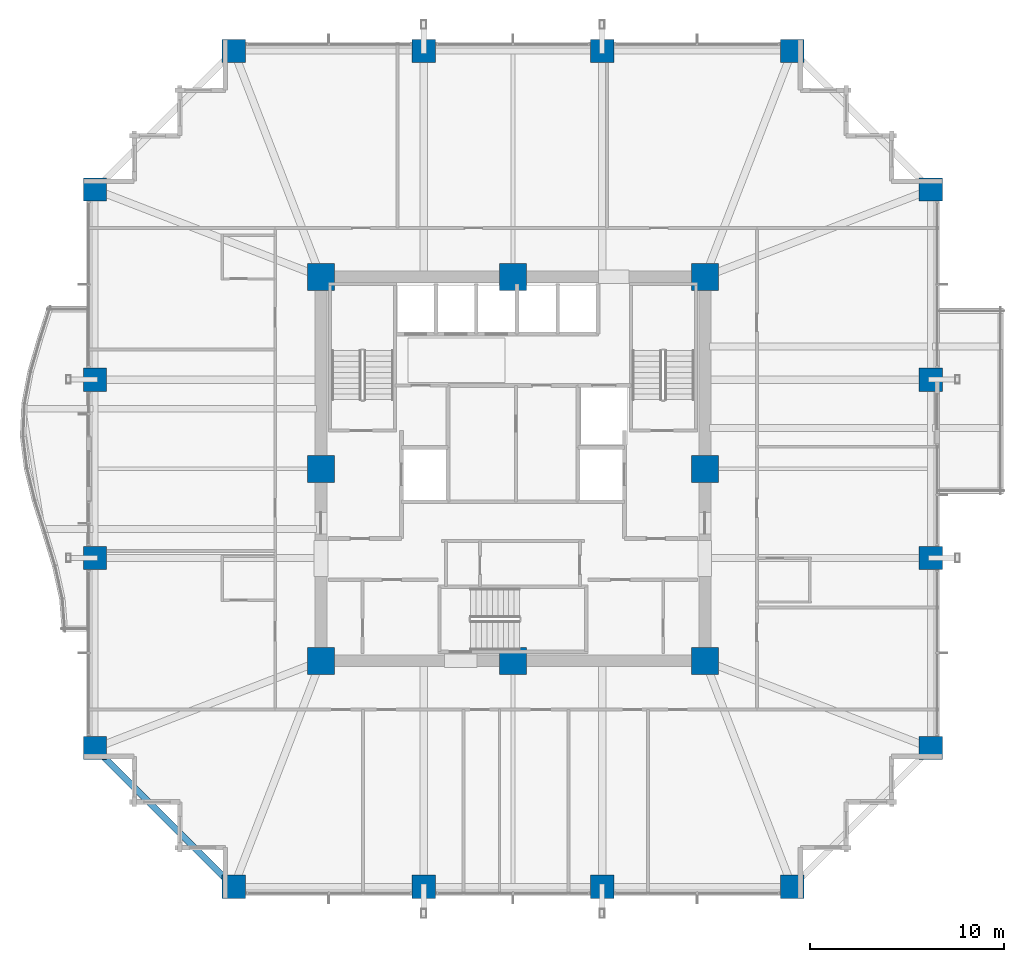
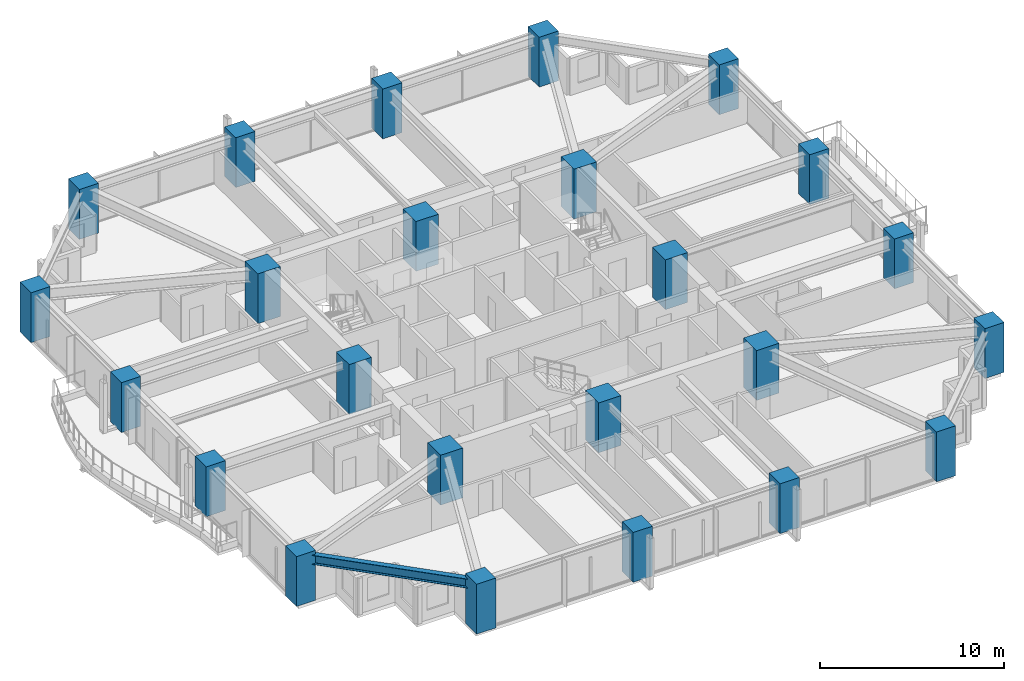
# One storey, part 1 of 38: 24 columns, 1 beam.
"""IFC4 building model written with IfcOpenShell, lengths in metres."""

from ifc_helpers import new_model, si_unit, direction, frame, origin, origin_2d, place, context, subcontext, project, spatial, rectangle, i_section, extrude, material, material_profile, profile_set, type_object, element, save


model = new_model("IFC4")

# Units and contexts
model_context = context("Model", 3, precision=1e-05, world=origin(), true_north=direction((0.0, 1.0)))
body_context = subcontext(model_context, "Body", "Model", "MODEL_VIEW")
ifc_project = project(units=[si_unit("LENGTHUNIT", "METRE"), si_unit("AREAUNIT", "SQUARE_METRE"), si_unit("VOLUMEUNIT", "CUBIC_METRE"), si_unit("PLANEANGLEUNIT", "RADIAN"), si_unit("MASSUNIT", "GRAM", prefix="KILO")], contexts=[model_context])

# Site, building, storey
site_placement = place(None, origin())
site = spatial("IfcSite", under=ifc_project, at=site_placement, CompositionType="ELEMENT")
building_placement = place(site_placement, origin())
building = spatial("IfcBuilding", under=site, at=building_placement, Name="Kolvaren Belvedere", CompositionType="ELEMENT")
storey_placement = place(building_placement, frame((0.0, 0.0, 53.5)))
storey = spatial("IfcBuildingStorey", under=building, at=storey_placement, Name="L15", CompositionType="ELEMENT", Elevation=53.5)

# Columns
ifc_material_1 = material(Name="Concrete C60/75", Category="concrete")
ifc_material_profile_1 = material_profile(ifc_material_1, rectangle(XDim=1.199951171875, YDim=1.199951171875, at=origin_2d()), Name="RC 1200X1200")
ifc_profile_set_1 = profile_set([ifc_material_profile_1], Name="Concrete C60/75")
column_type_1 = type_object("IfcColumnType", Name="COL-RC-1200", PredefinedType="COLUMN", material=ifc_profile_set_1)
for number, where, z_axis, x_axis, name in (
    (1, (-14.39990234375, -21.550048828125, 0.0), (0.0, 0.0, 1.0), (1.0, 0.0, 0.0), "L15 Perimeter Column S1"),
    (2, (-4.60009765625, -21.550048828125, 0.0), (0.0, 0.0, 1.0), (1.0, 0.0, 0.0), "L15 Perimeter Column S2"),
    (3, (4.60009765625, -21.550048828125, 0.0), (0.0, 0.0, 1.0), (1.0, 0.0, 0.0), "L15 Perimeter Column S3"),
    (4, (14.39990234375, -21.550048828125, 0.0), (0.0, 0.0, 1.0), (1.0, 0.0, 0.0), "L15 Perimeter Column S4"),
    (5, (-14.39990234375, 21.550048828125, 0.0), (0.0, 0.0, 1.0), (1.0, 0.0, 0.0), "L15 Perimeter Column N1"),
    (6, (-4.60009765625, 21.550048828125, 0.0), (0.0, 0.0, 1.0), (1.0, 0.0, 0.0), "L15 Perimeter Column N2"),
    (7, (4.60009765625, 21.550048828125, 0.0), (0.0, 0.0, 1.0), (1.0, 0.0, 0.0), "L15 Perimeter Column N3"),
    (8, (14.39990234375, 21.550048828125, 0.0), (0.0, 0.0, 1.0), (1.0, 0.0, 0.0), "L15 Perimeter Column N4"),
    (9, (-21.550048828125, -14.39990234375, 0.0), (0.0, 0.0, 1.0), (1.0, 0.0, 0.0), "L15 Perimeter Column W1"),
    (10, (-21.550048828125, -4.60009765625, 0.0), (0.0, 0.0, 1.0), (1.0, 0.0, 0.0), "L15 Perimeter Column W2"),
    (11, (-21.550048828125, 4.60009765625, 0.0), (0.0, 0.0, 1.0), (1.0, 0.0, 0.0), "L15 Perimeter Column W3"),
    (12, (-21.550048828125, 14.39990234375, 0.0), (0.0, 0.0, 1.0), (1.0, 0.0, 0.0), "L15 Perimeter Column W4"),
    (13, (21.550048828125, -14.39990234375, 0.0), (0.0, 0.0, 1.0), (1.0, 0.0, 0.0), "L15 Perimeter Column E1"),
    (14, (21.550048828125, -4.60009765625, 0.0), (0.0, 0.0, 1.0), (1.0, 0.0, 0.0), "L15 Perimeter Column E2"),
    (15, (21.550048828125, 4.60009765625, 0.0), (0.0, 0.0, 1.0), (1.0, 0.0, 0.0), "L15 Perimeter Column E3"),
    (16, (21.550048828125, 14.39990234375, 0.0), (0.0, 0.0, 1.0), (1.0, 0.0, 0.0), "L15 Perimeter Column E4"),
):
    element("IfcColumn", number, at=place(storey_placement, frame(where, z_axis=z_axis, x_axis=x_axis)), inside=storey, type_object=column_type_1, Name=name, PredefinedType="COLUMN", context=body_context, shape_type="SweptSolid", body=[
        extrude(rectangle(XDim=1.199951171875, YDim=1.199951171875, at=origin_2d()), origin(), (0.0, 0.0, 1.0), 3.300048828125),
    ])
ifc_material_2 = material(Name="Concrete C60/75", Category="concrete")
ifc_material_profile_2 = material_profile(ifc_material_2, rectangle(XDim=1.39990234375, YDim=1.39990234375, at=origin_2d()), Name="RC 1400X1400")
ifc_profile_set_2 = profile_set([ifc_material_profile_2], Name="Concrete C60/75")
column_type_2 = type_object("IfcColumnType", Name="COL-RC-1400", PredefinedType="COLUMN", material=ifc_profile_set_2)
for number, where, z_axis, x_axis, name in (
    (17, (-9.89990234375, -9.89990234375, 0.0), (0.0, 0.0, 1.0), (1.0, 0.0, 0.0), "L15 Core Column CC1"),
    (18, (9.89990234375, -9.89990234375, 0.0), (0.0, 0.0, 1.0), (1.0, 0.0, 0.0), "L15 Core Column CC2"),
    (19, (9.89990234375, 9.89990234375, 0.0), (0.0, 0.0, 1.0), (1.0, 0.0, 0.0), "L15 Core Column CC3"),
    (20, (-9.89990234375, 9.89990234375, 0.0), (0.0, 0.0, 1.0), (1.0, 0.0, 0.0), "L15 Core Column CC4"),
    (21, (0.0, -9.89990234375, 0.0), (0.0, 0.0, 1.0), (1.0, 0.0, 0.0), "L15 Core Column CM1"),
    (22, (9.89990234375, 0.0, 0.0), (0.0, 0.0, 1.0), (1.0, 0.0, 0.0), "L15 Core Column CM2"),
    (23, (0.0, 9.89990234375, 0.0), (0.0, 0.0, 1.0), (1.0, 0.0, 0.0), "L15 Core Column CM3"),
    (24, (-9.89990234375, 0.0, 0.0), (0.0, 0.0, 1.0), (1.0, 0.0, 0.0), "L15 Core Column CM4"),
):
    element("IfcColumn", number, at=place(storey_placement, frame(where, z_axis=z_axis, x_axis=x_axis)), inside=storey, type_object=column_type_2, Name=name, PredefinedType="COLUMN", context=body_context, shape_type="SweptSolid", body=[
        extrude(rectangle(XDim=1.39990234375, YDim=1.39990234375, at=origin_2d()), origin(), (0.0, 0.0, 1.0), 3.300048828125),
    ])

# Beam
ifc_material_3 = material(Name="Structural steel ASTM A992 Grade 50", Category="steel")
ifc_material_profile_3 = material_profile(ifc_material_3, i_section(OverallWidth=0.324951171875, OverallDepth=0.615966796875, WebThickness=0.013916015625, FlangeThickness=0.021484375, FilletRadius=0.02001953125, at=origin_2d()), Name="W24X117")
ifc_profile_set_3 = profile_set([ifc_material_profile_3], Name="Structural steel ASTM A992 Grade 50")
beam_type = type_object("IfcBeamType", Name="BM-SPAN-W24X117", PredefinedType="SPANDREL", material=ifc_profile_set_3)
beam_placement = place(storey_placement, frame((-21.359130859375, -14.5908203125, 2.751953125), z_axis=(0.707106781187, -0.707106781187, 0.0), x_axis=(0.707106781187, 0.707106781187, 0.0)))
element("IfcBeam", 25, at=beam_placement, inside=storey, type_object=beam_type, Name="L15 Perimeter Spandrel W1-S1", PredefinedType="SPANDREL", context=body_context, shape_type="SweptSolid", body=[
    extrude(i_section(OverallWidth=0.324951171875, OverallDepth=0.615966796875, WebThickness=0.013916015625, FlangeThickness=0.021484375, FilletRadius=0.02001953125, at=origin_2d()), origin(), (0.0, 0.0, 1.0), 9.57177734375),
])

save(model, "model.ifc")
